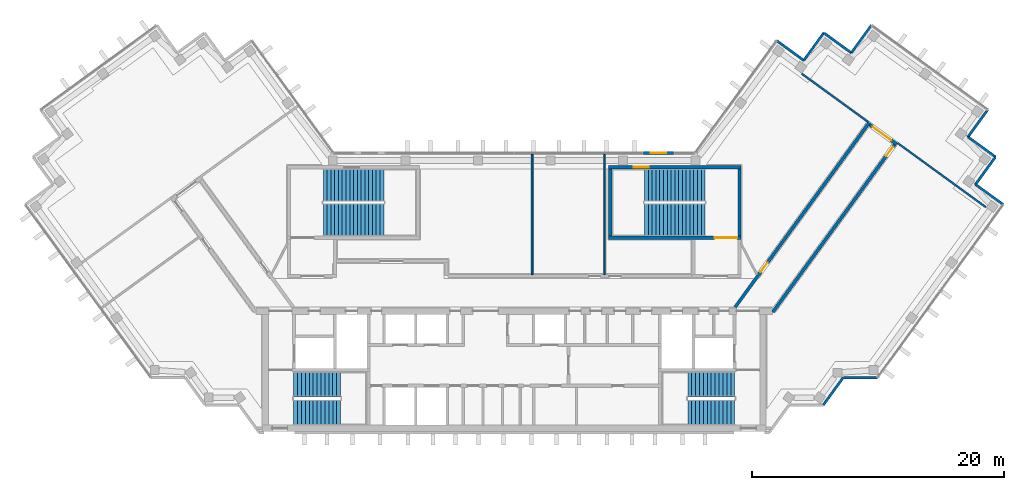
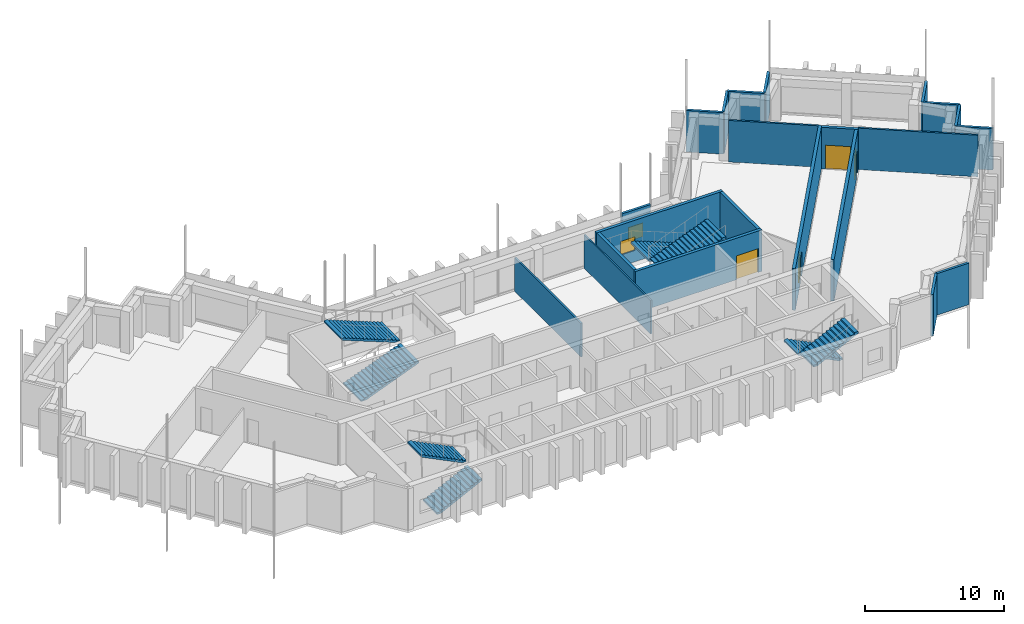
# One storey, part 11 of 13: 22 walls, 8 stair flights, 4 doors, 2 windows, 6 openings, 4 elements without a shape of their own.
"""IFC4 building model written with IfcOpenShell, lengths in metres."""

from ifc_helpers import new_model, si_unit, direction, frame, frame_2d, origin, place, context, subcontext, project, spatial, polyline, rectangle, outline, extrude, material, layer, layer_set, type_object, element, fill, aggregate, save


model = new_model("IFC4")

# Units and contexts
model_context = context("Model", 3, precision=1e-05, world=origin(), true_north=direction((0.0, 1.0)))
body_context = subcontext(model_context, "Body", "Model", "MODEL_VIEW")
ifc_project = project(units=[si_unit("LENGTHUNIT", "METRE"), si_unit("AREAUNIT", "SQUARE_METRE"), si_unit("VOLUMEUNIT", "CUBIC_METRE"), si_unit("PLANEANGLEUNIT", "RADIAN"), si_unit("MASSUNIT", "GRAM", prefix="KILO")], contexts=[model_context])

# Site, building, storey
site_placement = place(None, origin())
site = spatial("IfcSite", under=ifc_project, at=site_placement, CompositionType="ELEMENT")
building_placement = place(site_placement, origin())
building = spatial("IfcBuilding", under=site, at=building_placement, Name="Quipu Civic Tower", CompositionType="ELEMENT")
storey_placement = place(building_placement, frame((0.0, 0.0, 285.0)))
storey = spatial("IfcBuildingStorey", under=building, at=storey_placement, Name="L66", CompositionType="ELEMENT", Elevation=285.0)

# Walls
ifc_material_1 = material(Name="Double gypsum plasterboard with mineral wool")
ifc_layer_1 = layer(ifc_material_1, 0.14990234375)
ifc_layer_set_1 = layer_set([ifc_layer_1], Name="Double gypsum plasterboard with mineral wool")
wall_type_1 = type_object("IfcWallType", Name="Acoustic partition 150 plasterboard", PredefinedType="PARTITIONING", material=ifc_layer_set_1)
wall_1_placement = place(storey_placement, frame((28.0732421875, 13.577880859375, 0.0), z_axis=(0.0, 0.0, 1.0), x_axis=(-0.809000932727, 0.587807358619, 0.0)))
element("IfcWall", 1, at=wall_1_placement, inside=storey, type_object=wall_type_1, Name="Partition P01", PredefinedType="PARTITIONING", context=body_context, shape_type="SweptSolid", body=[
    extrude(rectangle(XDim=6.49560546875, YDim=0.14990234375, at=frame_2d((3.247802734375, 0.0))), origin(), (0.0, 0.0, 1.0), 3.64990234375),
])
wall_2_placement = place(storey_placement, frame((30.414794921875, 11.901611328125, 0.0), z_axis=(0.0, 0.0, 1.0), x_axis=(0.809020922653, -0.587779845444, 0.0)))
element("IfcWall", 2, at=wall_2_placement, inside=storey, type_object=wall_type_1, Name="Partition P04", PredefinedType="PARTITIONING", context=body_context, shape_type="SweptSolid", body=[
    extrude(rectangle(XDim=8.670166015625, YDim=0.14990234375, at=frame_2d((4.3349609375, 0.0))), origin(), (0.0, 0.0, 1.0), 3.64990234375),
])
wall_3_placement = place(storey_placement, frame((1.419921875, 1.449951171875, 0.0), z_axis=(0.0, 0.0, 1.0), x_axis=(0.0, 1.0, 0.0)))
element("IfcWall", 3, at=wall_3_placement, inside=storey, type_object=wall_type_1, Name="Partition P05", PredefinedType="PARTITIONING", context=body_context, shape_type="SweptSolid", body=[
    extrude(rectangle(XDim=9.550048828125, YDim=0.14990234375, at=frame_2d((4.77490234375, 0.0))), origin(), (0.0, 0.0, 1.0), 2.949951171875),
])

# Wall, opening, door
ifc_material_2 = material(Name="Concrete C70/85", Category="concrete")
ifc_layer_2 = layer(ifc_material_2, 0.25)
ifc_layer_set_2 = layer_set([ifc_layer_2], Name="Concrete C70/85")
wall_type_2 = type_object("IfcWallType", Name="Core wall 250", PredefinedType="SHEAR", material=ifc_layer_set_2)
wall_4_placement = place(storey_placement, frame((7.5, 4.375, 0.0), z_axis=(0.0, 0.0, 1.0), x_axis=(1.0, 0.0, 0.0)))
wall_4 = element("IfcWall", 4, at=wall_4_placement, inside=storey, type_object=wall_type_2, Name="Core wall", PredefinedType="SHEAR", context=body_context, shape_type="SweptSolid", body=[
    extrude(rectangle(XDim=10.5, YDim=0.25, at=frame_2d((5.25, 0.0))), origin(), (0.0, 0.0, 1.0), 3.64990234375),
])
opening_1_placement = place(wall_4_placement, frame((8.39990234375, 0.0, 0.0)))
opening_1 = element("IfcOpeningElement", 5, at=opening_1_placement, cuts=wall_4, Name="Opening CD-30", PredefinedType="OPENING", context=body_context, shape_type="SweptSolid", body=[
    extrude(rectangle(XDim=1.800048828125, YDim=2.10009765625, at=frame_2d((0.89990234375, 1.050048828125))), frame((0.0, 0.135009765625, 0.0), z_axis=(0.0, -1.0, 0.0), x_axis=(1.0, 0.0, 0.0)), (0.0, 0.0, 1.0), 0.27001953125),
])
ifc_material_3 = material(Name="Fire rated steel door", Category="steel")
door_type_1 = type_object("IfcDoorType", Name="Fire door FD90 double 1800 x 2100", OperationType="NOTDEFINED", PredefinedType="DOOR", material=ifc_material_3)
door_1_placement = place(opening_1_placement, origin())
door_1 = element("IfcDoor", 6, at=door_1_placement, inside=storey, type_object=door_type_1, Name="Door", OperationType="DOUBLE_DOOR_SINGLE_SWING", OverallHeight=2.10009765625, OverallWidth=1.800048828125, PredefinedType="DOOR", context=body_context, shape_type="SweptSolid", body=[
    extrude(rectangle(XDim=1.800048828125, YDim=2.10009765625, at=frame_2d((0.89990234375, 1.050048828125))), frame((0.0, 0.02490234375, 0.0), z_axis=(0.0, -1.0, 0.0), x_axis=(1.0, 0.0, 0.0)), (0.0, 0.0, 1.0), 0.050048828125),
])
fill(opening_1, door_1)

# Walls
for number, where, z_axis, x_axis, name in (
    (7, (7.625, 4.5, 0.0), (0.0, 0.0, 1.0), (0.0, 1.0, 0.0), "Core wall"),
    (8, (17.875, 4.5, 0.0), (0.0, 0.0, 1.0), (0.0, 1.0, 0.0), "Core wall"),
):
    element("IfcWall", number, at=place(storey_placement, frame(where, z_axis=z_axis, x_axis=x_axis)), inside=storey, type_object=wall_type_2, Name=name, PredefinedType="SHEAR", context=body_context, shape_type="SweptSolid", body=[
        extrude(rectangle(XDim=5.35009765625, YDim=0.25, at=frame_2d((2.675048828125, 0.0))), origin(), (0.0, 0.0, 1.0), 3.64990234375),
    ])

# Wall, opening, window
wall_5_placement = place(storey_placement, frame((7.5, 9.97509765625, 0.0), z_axis=(0.0, 0.0, 1.0), x_axis=(1.0, 0.0, 0.0)))
wall_5 = element("IfcWall", 9, at=wall_5_placement, inside=storey, type_object=wall_type_2, Name="Core wall", PredefinedType="SHEAR", context=body_context, shape_type="SweptSolid", body=[
    extrude(rectangle(XDim=10.5, YDim=0.25, at=frame_2d((5.25, 0.0))), origin(), (0.0, 0.0, 1.0), 3.64990234375),
])
opening_2_placement = place(wall_5_placement, frame((2.0, 0.0, 1.0)))
opening_2 = element("IfcOpeningElement", 10, at=opening_2_placement, cuts=wall_5, Name="Opening SV-4", PredefinedType="OPENING", context=body_context, shape_type="SweptSolid", body=[
    extrude(rectangle(XDim=1.199951171875, YDim=1.199951171875, at=frame_2d((0.60009765625, 0.60009765625))), frame((0.0, 0.135009765625, 0.0), z_axis=(0.0, -1.0, 0.0), x_axis=(1.0, 0.0, 0.0)), (0.0, 0.0, 1.0), 0.27001953125),
])
ifc_material_4 = material(Name="Aluminium louvre", Category="aluminium")
window_type_1 = type_object("IfcWindowType", Name="Stair ventilation louvre 1200 x 1200", PartitioningType="SINGLE_PANEL", PredefinedType="WINDOW", material=ifc_material_4)
window_1_placement = place(opening_2_placement, origin())
window_1 = element("IfcWindow", 11, at=window_1_placement, inside=storey, type_object=window_type_1, Name="Stair ventilation opening", OverallHeight=1.199951171875, OverallWidth=1.199951171875, PartitioningType="SINGLE_PANEL", PredefinedType="WINDOW", context=body_context, shape_type="SweptSolid", body=[
    extrude(rectangle(XDim=1.199951171875, YDim=1.199951171875, at=frame_2d((0.60009765625, 0.60009765625))), frame((0.0, 0.030029296875, 0.0), z_axis=(0.0, -1.0, 0.0), x_axis=(1.0, 0.0, 0.0)), (0.0, 0.0, 1.0), 0.06005859375),
])
fill(opening_2, window_1)

# Wall, opening, door
ifc_material_5 = material(Name="Concrete C50/60", Category="concrete")
ifc_layer_3 = layer(ifc_material_5, 0.25)
ifc_layer_set_3 = layer_set([ifc_layer_3], Name="Concrete C50/60")
wall_type_3 = type_object("IfcWallType", Name="Corridor wall 250 concrete", PredefinedType="SOLIDWALL", material=ifc_layer_set_3)
wall_6_placement = place(storey_placement, frame((17.544921875, -1.124755859375, 0.0), z_axis=(0.0, 0.0, 1.0), x_axis=(0.58779555165, 0.809009511354, 0.0)))
wall_6 = element("IfcWall", 12, at=wall_6_placement, inside=storey, type_object=wall_type_3, Name="Corridor wall C01", PredefinedType="SOLIDWALL", context=body_context, shape_type="SweptSolid", body=[
    extrude(rectangle(XDim=18.10302734375, YDim=0.25, at=frame_2d((9.051513671875, 0.0))), origin(), (0.0, 0.0, 1.0), 3.64990234375),
])
opening_3_placement = place(wall_6_placement, frame((3.44140625, 0.0, 0.0)))
opening_3 = element("IfcOpeningElement", 13, at=opening_3_placement, cuts=wall_6, Name="Opening D001", PredefinedType="OPENING", context=body_context, shape_type="SweptSolid", body=[
    extrude(rectangle(XDim=0.89990234375, YDim=2.10009765625, at=frame_2d((0.449951171875, 1.050048828125))), frame((0.0, 0.135009765625, 0.0), z_axis=(0.0, -1.0, 0.0), x_axis=(1.0, 0.0, 0.0)), (0.0, 0.0, 1.0), 0.27001953125),
])
ifc_material_6 = material(Name="Fire rated timber door set with metal frame", Category="wood")
door_type_2 = type_object("IfcDoorType", Name="Single door 900 x 2100 FD60", OperationType="NOTDEFINED", PredefinedType="DOOR", material=ifc_material_6)
door_2_placement = place(opening_3_placement, origin())
door_2 = element("IfcDoor", 14, at=door_2_placement, inside=storey, type_object=door_type_2, Name="Door D001", OperationType="SINGLE_SWING_LEFT", OverallHeight=2.10009765625, OverallWidth=0.89990234375, PredefinedType="DOOR", context=body_context, shape_type="SweptSolid", body=[
    extrude(rectangle(XDim=0.89990234375, YDim=2.10009765625, at=frame_2d((0.449951171875, 1.050048828125))), frame((0.0, 0.02490234375, 0.0), z_axis=(0.0, -1.0, 0.0), x_axis=(1.0, 0.0, 0.0)), (0.0, 0.0, 1.0), 0.050048828125),
])
fill(opening_3, door_2)

wall_7_placement = place(storey_placement, frame((28.21337890625, 13.34619140625, 0.0), z_axis=(0.0, 0.0, 1.0), x_axis=(0.809006914995, -0.587799125119, 0.0)))
wall_7 = element("IfcWall", 15, at=wall_7_placement, inside=storey, type_object=wall_type_3, Name="Corridor wall C02", PredefinedType="SOLIDWALL", context=body_context, shape_type="SweptSolid", body=[
    extrude(rectangle(XDim=2.64990234375, YDim=0.25, at=frame_2d((1.324951171875, 0.0))), origin(), (0.0, 0.0, 1.0), 3.64990234375),
])
opening_4_placement = place(wall_7_placement, frame((0.30029296875, 0.0, 0.0)))
opening_4 = element("IfcOpeningElement", 16, at=opening_4_placement, cuts=wall_7, Name="Opening D003", PredefinedType="OPENING", context=body_context, shape_type="SweptSolid", body=[
    extrude(rectangle(XDim=1.800048828125, YDim=2.10009765625, at=frame_2d((0.89990234375, 1.050048828125))), frame((0.0, 0.135009765625, 0.0), z_axis=(0.0, -1.0, 0.0), x_axis=(1.0, 0.0, 0.0)), (0.0, 0.0, 1.0), 0.27001953125),
])
ifc_material_7 = material(Name="Fire rated timber door set with metal frame", Category="wood")
door_type_3 = type_object("IfcDoorType", Name="Double door 1800 x 2100 FD60", OperationType="DOUBLE_DOOR_SINGLE_SWING", PredefinedType="DOOR", material=ifc_material_7)
door_3_placement = place(opening_4_placement, origin())
door_3 = element("IfcDoor", 17, at=door_3_placement, inside=storey, type_object=door_type_3, Name="Door D003", OperationType="DOUBLE_DOOR_SINGLE_SWING", OverallHeight=2.10009765625, OverallWidth=1.800048828125, PredefinedType="DOOR", context=body_context, shape_type="SweptSolid", body=[
    extrude(rectangle(XDim=1.800048828125, YDim=2.10009765625, at=frame_2d((0.89990234375, 1.050048828125))), frame((0.0, 0.02490234375, 0.0), z_axis=(0.0, -1.0, 0.0), x_axis=(1.0, 0.0, 0.0)), (0.0, 0.0, 1.0), 0.050048828125),
])
fill(opening_4, door_3)

wall_8_placement = place(storey_placement, frame((30.1826171875, 11.760986328125, 0.0), z_axis=(0.0, 0.0, 1.0), x_axis=(-0.587781762867, -0.80901952958, 0.0)))
wall_8 = element("IfcWall", 18, at=wall_8_placement, inside=storey, type_object=wall_type_3, Name="Corridor wall C03", PredefinedType="SOLIDWALL", context=body_context, shape_type="SweptSolid", body=[
    extrude(rectangle(XDim=16.42041015625, YDim=0.25, at=frame_2d((8.210205078125, 0.0))), origin(), (0.0, 0.0, 1.0), 3.64990234375),
])
opening_5_placement = place(wall_8_placement, frame((0.224609375, 0.0, 0.0)))
opening_5 = element("IfcOpeningElement", 19, at=opening_5_placement, cuts=wall_8, Name="Opening D002", PredefinedType="OPENING", context=body_context, shape_type="SweptSolid", body=[
    extrude(rectangle(XDim=0.89990234375, YDim=2.10009765625, at=frame_2d((0.449951171875, 1.050048828125))), frame((0.0, 0.135009765625, 0.0), z_axis=(0.0, -1.0, 0.0), x_axis=(1.0, 0.0, 0.0)), (0.0, 0.0, 1.0), 0.27001953125),
])
door_4_placement = place(opening_5_placement, origin())
door_4 = element("IfcDoor", 20, at=door_4_placement, inside=storey, type_object=door_type_2, Name="Door D002", OperationType="SINGLE_SWING_LEFT", OverallHeight=2.10009765625, OverallWidth=0.89990234375, PredefinedType="DOOR", context=body_context, shape_type="SweptSolid", body=[
    extrude(rectangle(XDim=0.89990234375, YDim=2.10009765625, at=frame_2d((0.449951171875, 1.050048828125))), frame((0.0, 0.02490234375, 0.0), z_axis=(0.0, -1.0, 0.0), x_axis=(1.0, 0.0, 0.0)), (0.0, 0.0, 1.0), 0.050048828125),
])
fill(opening_5, door_4)

# Walls
ifc_material_8 = material(Name="Gypsum plasterboard on light gauge framing")
ifc_layer_4 = layer(ifc_material_8, 0.1201171875)
ifc_layer_set_4 = layer_set([ifc_layer_4], Name="Gypsum plasterboard on light gauge framing")
wall_type_4 = type_object("IfcWallType", Name="Partition 120 plasterboard", PredefinedType="PARTITIONING", material=ifc_layer_set_4)
wall_9_placement = place(storey_placement, frame((7.177978515625, 1.449951171875, 0.0), z_axis=(0.0, 0.0, 1.0), x_axis=(0.0, 1.0, 0.0)))
element("IfcWall", 21, at=wall_9_placement, inside=storey, type_object=wall_type_4, Name="Partition P07", PredefinedType="PARTITIONING", context=body_context, shape_type="SweptSolid", body=[
    extrude(rectangle(XDim=9.550048828125, YDim=0.1201171875, at=frame_2d((4.77490234375, 0.0))), origin(), (0.0, 0.0, 1.0), 2.949951171875),
])
ifc_material_9 = material(Name="Precast concrete C40/50", Category="concrete")
wall_type_5 = type_object("IfcWallType", Name="Precast cladding wall", PredefinedType="SOLIDWALL", material=ifc_material_9)
wall_10_placement = place(storey_placement, frame((24.533203125, -8.90869140625, 0.0), z_axis=(0.0, 0.0, 1.0), x_axis=(0.587720002413, 0.809064397168, 0.0)))
element("IfcWall", 22, at=wall_10_placement, inside=storey, type_object=wall_type_5, Name="Precast cladding wall L66 P22", PredefinedType="SOLIDWALL", context=body_context, shape_type="SweptSolid", body=[
    extrude(rectangle(XDim=2.7001953125, YDim=0.199951171875, at=frame_2d((1.35009765625, 0.0))), origin(), (0.0, 0.0, 1.0), 3.64990234375),
])
for number, where, z_axis, x_axis, name in (
    (23, (26.1298828125, -6.71923828125, 0.0), (0.0, 0.0, 1.0), (1.0, 0.0, 0.0), "Precast cladding wall L66 P23"),
    (24, (38.813720703125, 7.010498046875, 0.0), (0.0, 0.0, 1.0), (-0.809033161865, 0.587762999008, 0.0), "Precast cladding wall L66 P25"),
    (25, (36.60205078125, 8.580322265625, 0.0), (0.0, 0.0, 1.0), (0.587822180636, 0.808990163075, 0.0), "Precast cladding wall L66 P26"),
    (26, (38.21630859375, 10.78173828125, 0.0), (0.0, 0.0, 1.0), (-0.809033161865, 0.587762999008, 0.0), "Precast cladding wall L66 P27"),
    (27, (36.0048828125, 12.3515625, 0.0), (0.0, 0.0, 1.0), (0.587762999008, 0.809033161865, 0.0), "Precast cladding wall L66 P28"),
):
    element("IfcWall", number, at=place(storey_placement, frame(where, z_axis=z_axis, x_axis=x_axis)), inside=storey, type_object=wall_type_5, Name=name, PredefinedType="SOLIDWALL", context=body_context, shape_type="SweptSolid", body=[
        extrude(rectangle(XDim=2.699951171875, YDim=0.199951171875, at=frame_2d((1.35009765625, 0.0))), origin(), (0.0, 0.0, 1.0), 3.64990234375),
    ])
for number, where, z_axis, x_axis, name in (
    (28, (28.3544921875, 21.247314453125, 0.0), (0.0, 0.0, 1.0), (-0.587720002413, -0.809064397168, 0.0), "Precast cladding wall L66 P30"),
    (29, (26.78466796875, 19.03564453125, 0.0), (0.0, 0.0, 1.0), (-0.809064397168, 0.587720002413, 0.0), "Precast cladding wall L66 P31"),
):
    element("IfcWall", number, at=place(storey_placement, frame(where, z_axis=z_axis, x_axis=x_axis)), inside=storey, type_object=wall_type_5, Name=name, PredefinedType="SOLIDWALL", context=body_context, shape_type="SweptSolid", body=[
        extrude(rectangle(XDim=2.7001953125, YDim=0.199951171875, at=frame_2d((1.35009765625, 0.0))), origin(), (0.0, 0.0, 1.0), 3.64990234375),
    ])
for number, where, z_axis, x_axis, name in (
    (30, (24.583251953125, 20.64990234375, 0.0), (0.0, 0.0, 1.0), (-0.587762999008, -0.809033161865, 0.0), "Precast cladding wall L66 P32"),
    (31, (23.01318359375, 18.438232421875, 0.0), (0.0, 0.0, 1.0), (-0.808990163075, 0.587822180636, 0.0), "Precast cladding wall L66 P33"),
):
    element("IfcWall", number, at=place(storey_placement, frame(where, z_axis=z_axis, x_axis=x_axis)), inside=storey, type_object=wall_type_5, Name=name, PredefinedType="SOLIDWALL", context=body_context, shape_type="SweptSolid", body=[
        extrude(rectangle(XDim=2.699951171875, YDim=0.199951171875, at=frame_2d((1.35009765625, 0.0))), origin(), (0.0, 0.0, 1.0), 3.64990234375),
    ])

# Wall, opening, window
wall_11_placement = place(storey_placement, frame((12.655029296875, 11.10009765625, 0.0), z_axis=(0.0, 0.0, 1.0), x_axis=(-1.0, 0.0, 0.0)))
wall_11 = element("IfcWall", 32, at=wall_11_placement, inside=storey, type_object=wall_type_5, Name="Vent surround SF-L62-2", PredefinedType="SOLIDWALL", context=body_context, shape_type="SweptSolid", body=[
    extrude(rectangle(XDim=2.3916015625, YDim=0.199951171875, at=frame_2d((1.19580078125, 0.0))), origin(), (0.0, 0.0, 1.0), 3.64990234375),
])
opening_6_placement = place(wall_11_placement, frame((0.595703125, 0.0, 1.0)))
opening_6 = element("IfcOpeningElement", 33, at=opening_6_placement, cuts=wall_11, Name="Opening SF-L62-2", PredefinedType="OPENING", context=body_context, shape_type="SweptSolid", body=[
    extrude(rectangle(XDim=1.199951171875, YDim=1.199951171875, at=frame_2d((0.60009765625, 0.60009765625))), frame((0.0, 0.10986328125, 0.0), z_axis=(0.0, -1.0, 0.0), x_axis=(1.0, 0.0, 0.0)), (0.0, 0.0, 1.0), 0.219970703125),
])
ifc_material_10 = material(Name="Anodised aluminium louvre", Category="aluminium")
window_type_2 = type_object("IfcWindowType", Name="Stair vent louvre window P3", PartitioningType="SINGLE_PANEL", PredefinedType="WINDOW", material=ifc_material_10)
window_2_placement = place(opening_6_placement, origin())
window_2 = element("IfcWindow", 34, at=window_2_placement, inside=storey, type_object=window_type_2, Name="Stair vent louvre SF-L62-2", OverallHeight=1.199951171875, OverallWidth=1.199951171875, PartitioningType="SINGLE_PANEL", PredefinedType="WINDOW", context=body_context, shape_type="SweptSolid", body=[
    extrude(rectangle(XDim=1.199951171875, YDim=1.199951171875, at=frame_2d((0.60009765625, 0.60009765625))), frame((0.0, 0.030029296875, 0.0), z_axis=(0.0, -1.0, 0.0), x_axis=(1.0, 0.0, 0.0)), (0.0, 0.0, 1.0), 0.06005859375),
])
fill(opening_6, window_2)

# Stair, stair flights
ifc_material_11 = material(Name="Concrete C40/50", Category="concrete")
stair_type_1 = type_object("IfcStairType", Name="Half turn stair 2000", PredefinedType="HALF_TURN_STAIR", material=ifc_material_11)
stair_1_placement = place(storey_placement, origin())
stair_1 = element("IfcStair", 35, at=stair_1_placement, inside=storey, type_object=stair_type_1, Name="Exit stair 1", PredefinedType="HALF_TURN_STAIR")
ifc_material_12 = material(Name="Concrete C40/50", Category="concrete")
stair_flight_type_1 = type_object("IfcStairFlightType", Name="Stair flight 2000", PredefinedType="STRAIGHT", material=ifc_material_12)
stair_flight_1_placement = place(storey_placement, frame((-17.5, -9.5, 0.0), z_axis=(0.0, 0.0, 1.0), x_axis=(1.0, 0.0, 0.0)))
stair_flight_1 = element("IfcStairFlight", 36, at=stair_flight_1_placement, type_object=stair_flight_type_1, Name="ST-1 flight 1", NumberOfRisers=13, NumberOfTreads=12, PredefinedType="STRAIGHT", RiserHeight=0.153846154, TreadLength=0.31, context=body_context, shape_type="SweptSolid", body=[
    extrude(outline(polyline([(0.0, 0.0), (0.0, 0.15380859375), (0.31005859375, 0.15380859375), (0.31005859375, 0.3076171875), (0.6201171875, 0.3076171875), (0.6201171875, 0.46142578125), (0.929931640625, 0.46142578125), (0.929931640625, 0.615478515625), (1.239990234375, 0.615478515625), (1.239990234375, 0.769287109375), (1.550048828125, 0.769287109375), (1.550048828125, 0.923095703125), (1.860107421875, 0.923095703125), (1.860107421875, 1.076904296875), (2.169921875, 1.076904296875), (2.169921875, 1.230712890625), (2.47998046875, 1.230712890625), (2.47998046875, 1.384521484375), (2.7900390625, 1.384521484375), (2.7900390625, 1.53857421875), (3.10009765625, 1.53857421875), (3.10009765625, 1.6923828125), (3.409912109375, 1.6923828125), (3.409912109375, 1.84619140625), (3.719970703125, 1.84619140625), (3.719970703125, 2.0), (3.719970703125, 1.6787109375), (0.337158203125, 0.0), (0.0, 0.0)])), frame((0.0, 1.0, 0.0), z_axis=(0.0, -1.0, 0.0), x_axis=(1.0, 0.0, 0.0)), (0.0, 0.0, 1.0), 2.0),
])
stair_flight_2_placement = place(storey_placement, frame((-13.780029296875, -7.25, 2.0), z_axis=(0.0, 0.0, 1.0), x_axis=(-1.0, 0.0, 0.0)))
stair_flight_2 = element("IfcStairFlight", 37, at=stair_flight_2_placement, type_object=stair_flight_type_1, Name="ST-1 flight 2", NumberOfRisers=13, NumberOfTreads=12, PredefinedType="STRAIGHT", RiserHeight=0.153846154, TreadLength=0.31, context=body_context, shape_type="SweptSolid", body=[
    extrude(outline(polyline([(0.0, 0.0), (0.0, 0.15380859375), (0.31005859375, 0.15380859375), (0.31005859375, 0.3076171875), (0.6201171875, 0.3076171875), (0.6201171875, 0.46142578125), (0.929931640625, 0.46142578125), (0.929931640625, 0.615478515625), (1.239990234375, 0.615478515625), (1.239990234375, 0.769287109375), (1.550048828125, 0.769287109375), (1.550048828125, 0.923095703125), (1.860107421875, 0.923095703125), (1.860107421875, 1.076904296875), (2.169921875, 1.076904296875), (2.169921875, 1.230712890625), (2.47998046875, 1.230712890625), (2.47998046875, 1.384521484375), (2.7900390625, 1.384521484375), (2.7900390625, 1.53857421875), (3.10009765625, 1.53857421875), (3.10009765625, 1.6923828125), (3.409912109375, 1.6923828125), (3.409912109375, 1.84619140625), (3.719970703125, 1.84619140625), (3.719970703125, 2.0), (3.719970703125, 1.6787109375), (0.337158203125, 0.0), (0.0, 0.0)])), frame((0.0, 1.0, 0.0), z_axis=(0.0, -1.0, 0.0), x_axis=(1.0, 0.0, 0.0)), (0.0, 0.0, 1.0), 2.0),
])
aggregate(stair_1, [stair_flight_1, stair_flight_2])

stair_2_placement = place(storey_placement, origin())
stair_2 = element("IfcStair", 38, at=stair_2_placement, inside=storey, type_object=stair_type_1, Name="Exit stair 2", PredefinedType="HALF_TURN_STAIR")
stair_flight_3_placement = place(storey_placement, frame((17.5, -7.25, 0.0), z_axis=(0.0, 0.0, 1.0), x_axis=(-1.0, 0.0, 0.0)))
stair_flight_3 = element("IfcStairFlight", 39, at=stair_flight_3_placement, type_object=stair_flight_type_1, Name="ST-2 flight 1", NumberOfRisers=13, NumberOfTreads=12, PredefinedType="STRAIGHT", RiserHeight=0.153846154, TreadLength=0.31, context=body_context, shape_type="SweptSolid", body=[
    extrude(outline(polyline([(0.0, 0.0), (0.0, 0.15380859375), (0.31005859375, 0.15380859375), (0.31005859375, 0.3076171875), (0.6201171875, 0.3076171875), (0.6201171875, 0.46142578125), (0.929931640625, 0.46142578125), (0.929931640625, 0.615478515625), (1.239990234375, 0.615478515625), (1.239990234375, 0.769287109375), (1.550048828125, 0.769287109375), (1.550048828125, 0.923095703125), (1.860107421875, 0.923095703125), (1.860107421875, 1.076904296875), (2.169921875, 1.076904296875), (2.169921875, 1.230712890625), (2.47998046875, 1.230712890625), (2.47998046875, 1.384521484375), (2.7900390625, 1.384521484375), (2.7900390625, 1.53857421875), (3.10009765625, 1.53857421875), (3.10009765625, 1.6923828125), (3.409912109375, 1.6923828125), (3.409912109375, 1.84619140625), (3.719970703125, 1.84619140625), (3.719970703125, 2.0), (3.719970703125, 1.6787109375), (0.337158203125, 0.0), (0.0, 0.0)])), frame((0.0, 1.0, 0.0), z_axis=(0.0, -1.0, 0.0), x_axis=(1.0, 0.0, 0.0)), (0.0, 0.0, 1.0), 2.0),
])
stair_flight_4_placement = place(storey_placement, frame((13.780029296875, -9.5, 2.0), z_axis=(0.0, 0.0, 1.0), x_axis=(1.0, 0.0, 0.0)))
stair_flight_4 = element("IfcStairFlight", 40, at=stair_flight_4_placement, type_object=stair_flight_type_1, Name="ST-2 flight 2", NumberOfRisers=13, NumberOfTreads=12, PredefinedType="STRAIGHT", RiserHeight=0.153846154, TreadLength=0.31, context=body_context, shape_type="SweptSolid", body=[
    extrude(outline(polyline([(0.0, 0.0), (0.0, 0.15380859375), (0.31005859375, 0.15380859375), (0.31005859375, 0.3076171875), (0.6201171875, 0.3076171875), (0.6201171875, 0.46142578125), (0.929931640625, 0.46142578125), (0.929931640625, 0.615478515625), (1.239990234375, 0.615478515625), (1.239990234375, 0.769287109375), (1.550048828125, 0.769287109375), (1.550048828125, 0.923095703125), (1.860107421875, 0.923095703125), (1.860107421875, 1.076904296875), (2.169921875, 1.076904296875), (2.169921875, 1.230712890625), (2.47998046875, 1.230712890625), (2.47998046875, 1.384521484375), (2.7900390625, 1.384521484375), (2.7900390625, 1.53857421875), (3.10009765625, 1.53857421875), (3.10009765625, 1.6923828125), (3.409912109375, 1.6923828125), (3.409912109375, 1.84619140625), (3.719970703125, 1.84619140625), (3.719970703125, 2.0), (3.719970703125, 1.6787109375), (0.337158203125, 0.0), (0.0, 0.0)])), frame((0.0, 1.0, 0.0), z_axis=(0.0, -1.0, 0.0), x_axis=(1.0, 0.0, 0.0)), (0.0, 0.0, 1.0), 2.0),
])
aggregate(stair_2, [stair_flight_3, stair_flight_4])

ifc_material_13 = material(Name="Concrete C40/50", Category="concrete")
stair_type_2 = type_object("IfcStairType", Name="Half turn stair 2600", PredefinedType="HALF_TURN_STAIR", material=ifc_material_13)
stair_3_placement = place(storey_placement, origin())
stair_3 = element("IfcStair", 41, at=stair_3_placement, inside=storey, type_object=stair_type_2, Name="Exit stair 3", PredefinedType="HALF_TURN_STAIR")
ifc_material_14 = material(Name="Concrete C40/50", Category="concrete")
stair_flight_type_2 = type_object("IfcStairFlightType", Name="Stair flight 2600", PredefinedType="STRAIGHT", material=ifc_material_14)
stair_flight_5_placement = place(storey_placement, frame((-15.14990234375, 5.800048828125, 0.0), z_axis=(0.0, 0.0, 1.0), x_axis=(1.0, 0.0, 0.0)))
stair_flight_5 = element("IfcStairFlight", 42, at=stair_flight_5_placement, type_object=stair_flight_type_2, Name="ST-3 flight 1", NumberOfRisers=17, NumberOfTreads=16, PredefinedType="STRAIGHT", RiserHeight=0.117647059, TreadLength=0.3, context=body_context, shape_type="SweptSolid", body=[
    extrude(outline(polyline([(0.0, 0.0), (0.0, 0.11767578125), (0.300048828125, 0.11767578125), (0.300048828125, 0.2353515625), (0.60009765625, 0.2353515625), (0.60009765625, 0.35302734375), (0.89990234375, 0.35302734375), (0.89990234375, 0.470703125), (1.199951171875, 0.470703125), (1.199951171875, 0.588134765625), (1.5, 0.588134765625), (1.5, 0.705810546875), (1.800048828125, 0.705810546875), (1.800048828125, 0.823486328125), (2.10009765625, 0.823486328125), (2.10009765625, 0.941162109375), (2.39990234375, 0.941162109375), (2.39990234375, 1.058837890625), (2.699951171875, 1.058837890625), (2.699951171875, 1.176513671875), (3.0, 1.176513671875), (3.0, 1.294189453125), (3.300048828125, 1.294189453125), (3.300048828125, 1.411865234375), (3.60009765625, 1.411865234375), (3.60009765625, 1.529296875), (3.89990234375, 1.529296875), (3.89990234375, 1.64697265625), (4.199951171875, 1.64697265625), (4.199951171875, 1.7646484375), (4.5, 1.7646484375), (4.5, 1.88232421875), (4.800048828125, 1.88232421875), (4.800048828125, 2.0), (4.800048828125, 1.721435546875), (0.41064453125, 0.0), (0.0, 0.0)])), frame((0.0, 1.300048828125, 0.0), z_axis=(0.0, -1.0, 0.0), x_axis=(1.0, 0.0, 0.0)), (0.0, 0.0, 1.0), 2.60009765625),
])
stair_flight_6_placement = place(storey_placement, frame((-10.35009765625, 8.550048828125, 2.0), z_axis=(0.0, 0.0, 1.0), x_axis=(-1.0, 0.0, 0.0)))
stair_flight_6 = element("IfcStairFlight", 43, at=stair_flight_6_placement, type_object=stair_flight_type_2, Name="ST-3 flight 2", NumberOfRisers=17, NumberOfTreads=16, PredefinedType="STRAIGHT", RiserHeight=0.117647059, TreadLength=0.3, context=body_context, shape_type="SweptSolid", body=[
    extrude(outline(polyline([(0.0, 0.0), (0.0, 0.11767578125), (0.300048828125, 0.11767578125), (0.300048828125, 0.2353515625), (0.60009765625, 0.2353515625), (0.60009765625, 0.35302734375), (0.89990234375, 0.35302734375), (0.89990234375, 0.470703125), (1.199951171875, 0.470703125), (1.199951171875, 0.588134765625), (1.5, 0.588134765625), (1.5, 0.705810546875), (1.800048828125, 0.705810546875), (1.800048828125, 0.823486328125), (2.10009765625, 0.823486328125), (2.10009765625, 0.941162109375), (2.39990234375, 0.941162109375), (2.39990234375, 1.058837890625), (2.699951171875, 1.058837890625), (2.699951171875, 1.176513671875), (3.0, 1.176513671875), (3.0, 1.294189453125), (3.300048828125, 1.294189453125), (3.300048828125, 1.411865234375), (3.60009765625, 1.411865234375), (3.60009765625, 1.529296875), (3.89990234375, 1.529296875), (3.89990234375, 1.64697265625), (4.199951171875, 1.64697265625), (4.199951171875, 1.7646484375), (4.5, 1.7646484375), (4.5, 1.88232421875), (4.800048828125, 1.88232421875), (4.800048828125, 2.0), (4.800048828125, 1.721435546875), (0.41064453125, 0.0), (0.0, 0.0)])), frame((0.0, 1.300048828125, 0.0), z_axis=(0.0, -1.0, 0.0), x_axis=(1.0, 0.0, 0.0)), (0.0, 0.0, 1.0), 2.60009765625),
])
aggregate(stair_3, [stair_flight_5, stair_flight_6])

stair_4_placement = place(storey_placement, origin())
stair_4 = element("IfcStair", 44, at=stair_4_placement, inside=storey, type_object=stair_type_2, Name="Exit stair 4", PredefinedType="HALF_TURN_STAIR")
stair_flight_7_placement = place(storey_placement, frame((15.14990234375, 8.550048828125, 0.0), z_axis=(0.0, 0.0, 1.0), x_axis=(-1.0, 0.0, 0.0)))
stair_flight_7 = element("IfcStairFlight", 45, at=stair_flight_7_placement, type_object=stair_flight_type_2, Name="ST-4 flight 1", NumberOfRisers=17, NumberOfTreads=16, PredefinedType="STRAIGHT", RiserHeight=0.117647059, TreadLength=0.3, context=body_context, shape_type="SweptSolid", body=[
    extrude(outline(polyline([(0.0, 0.0), (0.0, 0.11767578125), (0.300048828125, 0.11767578125), (0.300048828125, 0.2353515625), (0.60009765625, 0.2353515625), (0.60009765625, 0.35302734375), (0.89990234375, 0.35302734375), (0.89990234375, 0.470703125), (1.199951171875, 0.470703125), (1.199951171875, 0.588134765625), (1.5, 0.588134765625), (1.5, 0.705810546875), (1.800048828125, 0.705810546875), (1.800048828125, 0.823486328125), (2.10009765625, 0.823486328125), (2.10009765625, 0.941162109375), (2.39990234375, 0.941162109375), (2.39990234375, 1.058837890625), (2.699951171875, 1.058837890625), (2.699951171875, 1.176513671875), (3.0, 1.176513671875), (3.0, 1.294189453125), (3.300048828125, 1.294189453125), (3.300048828125, 1.411865234375), (3.60009765625, 1.411865234375), (3.60009765625, 1.529296875), (3.89990234375, 1.529296875), (3.89990234375, 1.64697265625), (4.199951171875, 1.64697265625), (4.199951171875, 1.7646484375), (4.5, 1.7646484375), (4.5, 1.88232421875), (4.800048828125, 1.88232421875), (4.800048828125, 2.0), (4.800048828125, 1.721435546875), (0.41064453125, 0.0), (0.0, 0.0)])), frame((0.0, 1.300048828125, 0.0), z_axis=(0.0, -1.0, 0.0), x_axis=(1.0, 0.0, 0.0)), (0.0, 0.0, 1.0), 2.60009765625),
])
stair_flight_8_placement = place(storey_placement, frame((10.35009765625, 5.800048828125, 2.0), z_axis=(0.0, 0.0, 1.0), x_axis=(1.0, 0.0, 0.0)))
stair_flight_8 = element("IfcStairFlight", 46, at=stair_flight_8_placement, type_object=stair_flight_type_2, Name="ST-4 flight 2", NumberOfRisers=17, NumberOfTreads=16, PredefinedType="STRAIGHT", RiserHeight=0.117647059, TreadLength=0.3, context=body_context, shape_type="SweptSolid", body=[
    extrude(outline(polyline([(0.0, 0.0), (0.0, 0.11767578125), (0.300048828125, 0.11767578125), (0.300048828125, 0.2353515625), (0.60009765625, 0.2353515625), (0.60009765625, 0.35302734375), (0.89990234375, 0.35302734375), (0.89990234375, 0.470703125), (1.199951171875, 0.470703125), (1.199951171875, 0.588134765625), (1.5, 0.588134765625), (1.5, 0.705810546875), (1.800048828125, 0.705810546875), (1.800048828125, 0.823486328125), (2.10009765625, 0.823486328125), (2.10009765625, 0.941162109375), (2.39990234375, 0.941162109375), (2.39990234375, 1.058837890625), (2.699951171875, 1.058837890625), (2.699951171875, 1.176513671875), (3.0, 1.176513671875), (3.0, 1.294189453125), (3.300048828125, 1.294189453125), (3.300048828125, 1.411865234375), (3.60009765625, 1.411865234375), (3.60009765625, 1.529296875), (3.89990234375, 1.529296875), (3.89990234375, 1.64697265625), (4.199951171875, 1.64697265625), (4.199951171875, 1.7646484375), (4.5, 1.7646484375), (4.5, 1.88232421875), (4.800048828125, 1.88232421875), (4.800048828125, 2.0), (4.800048828125, 1.721435546875), (0.41064453125, 0.0), (0.0, 0.0)])), frame((0.0, 1.300048828125, 0.0), z_axis=(0.0, -1.0, 0.0), x_axis=(1.0, 0.0, 0.0)), (0.0, 0.0, 1.0), 2.60009765625),
])
aggregate(stair_4, [stair_flight_7, stair_flight_8])

save(model, "model.ifc")
